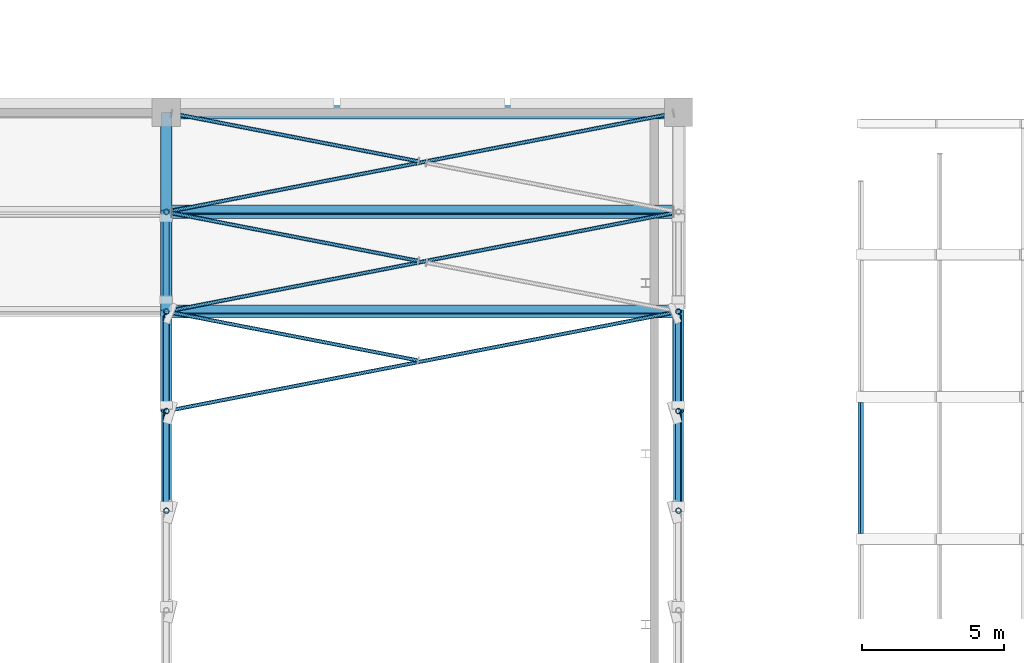
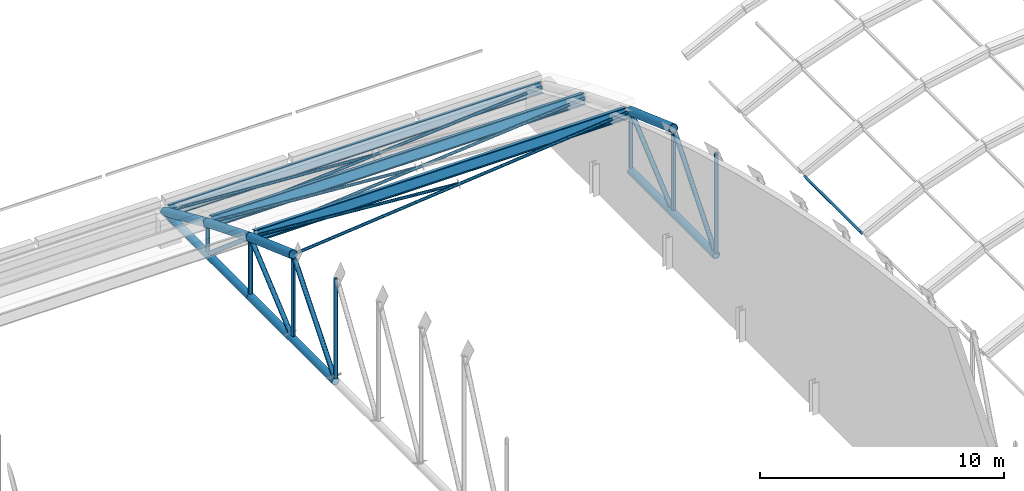
# One storey, part 89 of 196: 29 members.
"""IFC4 building model written with IfcOpenShell, lengths in metres."""

from ifc_helpers import new_model, si_unit, direction, frame, origin, origin_2d, place, context, subcontext, project, spatial, hollow_rectangle, hollow_circle, i_section, extrude, material, material_profile, profile_set, type_object, element, save


model = new_model("IFC4")

# Units and contexts
model_context = context("Model", 3, precision=1e-05, world=origin(), true_north=direction((0.0, 1.0)))
body_context = subcontext(model_context, "Body", "Model", "MODEL_VIEW")
ifc_project = project(units=[si_unit("LENGTHUNIT", "METRE"), si_unit("AREAUNIT", "SQUARE_METRE"), si_unit("VOLUMEUNIT", "CUBIC_METRE"), si_unit("PLANEANGLEUNIT", "RADIAN"), si_unit("MASSUNIT", "GRAM", prefix="KILO")], contexts=[model_context])

# Site, building, storey
site_placement = place(None, origin())
site = spatial("IfcSite", under=ifc_project, at=site_placement, CompositionType="ELEMENT")
building_placement = place(site_placement, origin())
building = spatial("IfcBuilding", under=site, at=building_placement, Name="Okhra Congress Centre", CompositionType="ELEMENT")
storey_placement = place(building_placement, frame((0.0, 0.0, 12.0)))
storey = spatial("IfcBuildingStorey", under=building, at=storey_placement, Name="L02", CompositionType="ELEMENT", Elevation=12.0)

# Members
ifc_material_1 = material(Name="Steel S355J2H", Category="steel")
ifc_material_profile_1 = material_profile(ifc_material_1, hollow_circle(Radius=0.06982421875, WallThickness=0.00634765625, at=origin_2d()), Name="CHS 139.7x6.3")
ifc_profile_set_1 = profile_set([ifc_material_profile_1], Name="Steel S355J2H")
member_type_1 = type_object("IfcMemberType", Name="CHS 139.7x6.3", PredefinedType="BRACE", material=ifc_profile_set_1)
member_1_placement = place(storey_placement, frame((136.185546875, 205.5361328125, 5.6162109375), z_axis=(0.979325120361, 0.190418301156, -0.068287474809), x_axis=(-0.190863837306, 0.981616521667, 0.0)))
element("IfcMember", 1, at=member_1_placement, inside=storey, type_object=member_type_1, Name="EH.MEM.L02.XB7-22-1", PredefinedType="BRACE", context=body_context, shape_type="SweptSolid", body=[
    extrude(hollow_circle(Radius=0.06982421875, WallThickness=0.00634765625, at=origin_2d()), origin(), (0.0, 0.0, 1.0), 18.0009765625),
])
member_2_placement = place(storey_placement, frame((144.844970703125, 207.280029296875, 4.99072265625), z_axis=(-0.979323118912, 0.190430842458, -0.068281205364), x_axis=(-0.190876325854, -0.981614093332, 0.0)))
element("IfcMember", 2, at=member_2_placement, inside=storey, type_object=member_type_1, Name="EH.MEM.L02.XB7-22-2b", PredefinedType="BRACE", context=body_context, shape_type="SweptSolid", body=[
    extrude(hollow_circle(Radius=0.06982421875, WallThickness=0.00634765625, at=origin_2d()), origin(), (0.0, 0.0, 1.0), 8.84228515625),
])
member_3_placement = place(storey_placement, frame((136.185546875, 209.0361328125, 4.359619140625), z_axis=(0.978737844173, 0.190304112179, -0.07652827759), x_axis=(-0.190863837306, 0.981616521667, 0.0)))
element("IfcMember", 3, at=member_3_placement, inside=storey, type_object=member_type_1, Name="EH.MEM.L02.XB7-23-1", PredefinedType="BRACE", context=body_context, shape_type="SweptSolid", body=[
    extrude(hollow_circle(Radius=0.06982421875, WallThickness=0.00634765625, at=origin_2d()), origin(), (0.0, 0.0, 1.0), 18.011962890625),
])
member_4_placement = place(storey_placement, frame((144.847412109375, 210.77978515625, 3.658447265625), z_axis=(-0.97874056041, 0.19029150725, -0.076524882736), x_axis=(-0.190851145429, -0.981618989368, 0.0)))
element("IfcMember", 4, at=member_4_placement, inside=storey, type_object=member_type_1, Name="EH.MEM.L02.XB7-23-2b", PredefinedType="BRACE", context=body_context, shape_type="SweptSolid", body=[
    extrude(hollow_circle(Radius=0.06982421875, WallThickness=0.00634765625, at=origin_2d()), origin(), (0.0, 0.0, 1.0), 8.85009765625),
])
member_5_placement = place(storey_placement, frame((136.185546875, 212.5361328125, 2.95068359375), z_axis=(0.978053112716, 0.190170974165, -0.085129955315), x_axis=(-0.190863837306, 0.981616521667, 0.0)))
element("IfcMember", 5, at=member_5_placement, inside=storey, type_object=member_type_1, Name="EH.MEM.L02.XB7-24-1", PredefinedType="BRACE", context=body_context, shape_type="SweptSolid", body=[
    extrude(hollow_circle(Radius=0.06982421875, WallThickness=0.00634765625, at=origin_2d()), origin(), (0.0, 0.0, 1.0), 18.0244140625),
])
member_6_placement = place(storey_placement, frame((144.85009765625, 214.279052734375, 2.17041015625), z_axis=(-0.978051270157, 0.190181228948, -0.085128215653), x_axis=(-0.190874100976, -0.98161452596, 0.0)))
element("IfcMember", 6, at=member_6_placement, inside=storey, type_object=member_type_1, Name="EH.MEM.L02.XB7-24-2b", PredefinedType="BRACE", context=body_context, shape_type="SweptSolid", body=[
    extrude(hollow_circle(Radius=0.06982421875, WallThickness=0.00634765625, at=origin_2d()), origin(), (0.0, 0.0, 1.0), 8.85888671875),
])
ifc_material_profile_2 = material_profile(ifc_material_1, hollow_circle(Radius=0.096923828125, WallThickness=0.012451171875, at=origin_2d()), Name="CHS 193.7x12.5")
ifc_profile_set_2 = profile_set([ifc_material_profile_2], Name="Steel S355J2H")
member_type_2 = type_object("IfcMemberType", Name="CHS 193.7x12.5", PredefinedType="POST", material=ifc_profile_set_2)
member_7_placement = place(storey_placement, frame((136.0, 202.0, 1.577880859375), z_axis=(0.0, 0.0, 1.0), x_axis=(1.0, 0.0, 0.0)))
element("IfcMember", 7, at=member_7_placement, inside=storey, type_object=member_type_2, Name="EH.MEM.L02.T7-VER-20", PredefinedType="POST", context=body_context, shape_type="SweptSolid", body=[
    extrude(hollow_circle(Radius=0.096923828125, WallThickness=0.012451171875, at=origin_2d()), origin(), (0.0, 0.0, 1.0), 4.947998046875),
])
member_8_placement = place(storey_placement, frame((136.0, 205.5, 1.577880859375), z_axis=(0.0, 0.0, 1.0), x_axis=(1.0, 0.0, 0.0)))
element("IfcMember", 8, at=member_8_placement, inside=storey, type_object=member_type_2, Name="EH.MEM.L02.T7-VER-21", PredefinedType="POST", context=body_context, shape_type="SweptSolid", body=[
    extrude(hollow_circle(Radius=0.096923828125, WallThickness=0.012451171875, at=origin_2d()), origin(), (0.0, 0.0, 1.0), 3.836669921875),
])
member_9_placement = place(storey_placement, frame((136.0, 209.0, 1.577880859375), z_axis=(0.0, 0.0, 1.0), x_axis=(1.0, 0.0, 0.0)))
element("IfcMember", 9, at=member_9_placement, inside=storey, type_object=member_type_2, Name="EH.MEM.L02.T7-VER-22", PredefinedType="POST", context=body_context, shape_type="SweptSolid", body=[
    extrude(hollow_circle(Radius=0.096923828125, WallThickness=0.012451171875, at=origin_2d()), origin(), (0.0, 0.0, 1.0), 2.578857421875),
])
member_10_placement = place(storey_placement, frame((136.0, 212.5, 1.577880859375), z_axis=(0.0, 0.0, 1.0), x_axis=(1.0, 0.0, 0.0)))
element("IfcMember", 10, at=member_10_placement, inside=storey, type_object=member_type_2, Name="EH.MEM.L02.T7-VER-23", PredefinedType="POST", context=body_context, shape_type="SweptSolid", body=[
    extrude(hollow_circle(Radius=0.096923828125, WallThickness=0.012451171875, at=origin_2d()), origin(), (0.0, 0.0, 1.0), 1.168212890625),
])
member_11_placement = place(storey_placement, frame((154.0, 202.0, 1.577880859375), z_axis=(0.0, 0.0, 1.0), x_axis=(1.0, 0.0, 0.0)))
element("IfcMember", 11, at=member_11_placement, inside=storey, type_object=member_type_2, Name="EH.MEM.L02.T8-VER-20", PredefinedType="POST", context=body_context, shape_type="SweptSolid", body=[
    extrude(hollow_circle(Radius=0.096923828125, WallThickness=0.012451171875, at=origin_2d()), origin(), (0.0, 0.0, 1.0), 4.947998046875),
])
member_12_placement = place(storey_placement, frame((154.0, 205.5, 1.577880859375), z_axis=(0.0, 0.0, 1.0), x_axis=(1.0, 0.0, 0.0)))
element("IfcMember", 12, at=member_12_placement, inside=storey, type_object=member_type_2, Name="EH.MEM.L02.T8-VER-21", PredefinedType="POST", context=body_context, shape_type="SweptSolid", body=[
    extrude(hollow_circle(Radius=0.096923828125, WallThickness=0.012451171875, at=origin_2d()), origin(), (0.0, 0.0, 1.0), 3.836669921875),
])
member_13_placement = place(storey_placement, frame((154.0, 209.0, 1.577880859375), z_axis=(0.0, 0.0, 1.0), x_axis=(1.0, 0.0, 0.0)))
element("IfcMember", 13, at=member_13_placement, inside=storey, type_object=member_type_2, Name="EH.MEM.L02.T8-VER-22", PredefinedType="POST", context=body_context, shape_type="SweptSolid", body=[
    extrude(hollow_circle(Radius=0.096923828125, WallThickness=0.012451171875, at=origin_2d()), origin(), (0.0, 0.0, 1.0), 2.578857421875),
])
ifc_material_profile_3 = material_profile(ifc_material_1, hollow_circle(Radius=0.109619140625, WallThickness=0.012451171875, at=origin_2d()), Name="CHS 219.1x12.5")
ifc_profile_set_3 = profile_set([ifc_material_profile_3], Name="Steel S355J2H")
member_type_3 = type_object("IfcMemberType", Name="CHS 219.1x12.5", PredefinedType="BRACE", material=ifc_profile_set_3)
member_14_placement = place(storey_placement, frame((136.0, 205.373779296875, 5.476318359375), z_axis=(0.0, -0.637599309049, -0.770368172435), x_axis=(1.0, 0.0, 0.0)))
element("IfcMember", 14, at=member_14_placement, inside=storey, type_object=member_type_3, Name="EH.MEM.L02.T7-DIA-20", PredefinedType="BRACE", context=body_context, shape_type="SweptSolid", body=[
    extrude(hollow_circle(Radius=0.109619140625, WallThickness=0.012451171875, at=origin_2d()), origin(), (0.0, 0.0, 1.0), 5.060546875),
])
member_15_placement = place(storey_placement, frame((136.0, 208.8388671875, 4.237060546875), z_axis=(0.0, -0.762061047132, -0.64750518179), x_axis=(1.0, 0.0, 0.0)))
element("IfcMember", 15, at=member_15_placement, inside=storey, type_object=member_type_3, Name="EH.MEM.L02.T7-DIA-21", PredefinedType="BRACE", context=body_context, shape_type="SweptSolid", body=[
    extrude(hollow_circle(Radius=0.109619140625, WallThickness=0.012451171875, at=origin_2d()), origin(), (0.0, 0.0, 1.0), 4.106689453125),
])
member_16_placement = place(storey_placement, frame((136.0, 209.42578125, 4.01220703125), z_axis=(0.0, 0.76205947483, -0.647507032257), x_axis=(-1.0, 0.0, 0.0)))
element("IfcMember", 16, at=member_16_placement, inside=storey, type_object=member_type_3, Name="EH.MEM.L02.T7-DIA-22", PredefinedType="BRACE", context=body_context, shape_type="SweptSolid", body=[
    extrude(hollow_circle(Radius=0.109619140625, WallThickness=0.012451171875, at=origin_2d()), origin(), (0.0, 0.0, 1.0), 3.759521484375),
])
member_17_placement = place(storey_placement, frame((154.0, 205.373779296875, 5.476318359375), z_axis=(0.0, -0.637599309049, -0.770368172435), x_axis=(1.0, 0.0, 0.0)))
element("IfcMember", 17, at=member_17_placement, inside=storey, type_object=member_type_3, Name="EH.MEM.L02.T8-DIA-20", PredefinedType="BRACE", context=body_context, shape_type="SweptSolid", body=[
    extrude(hollow_circle(Radius=0.109619140625, WallThickness=0.012451171875, at=origin_2d()), origin(), (0.0, 0.0, 1.0), 5.060546875),
])
member_18_placement = place(storey_placement, frame((154.0, 208.8388671875, 4.237060546875), z_axis=(0.0, -0.762061047132, -0.64750518179), x_axis=(1.0, 0.0, 0.0)))
element("IfcMember", 18, at=member_18_placement, inside=storey, type_object=member_type_3, Name="EH.MEM.L02.T8-DIA-21", PredefinedType="BRACE", context=body_context, shape_type="SweptSolid", body=[
    extrude(hollow_circle(Radius=0.109619140625, WallThickness=0.012451171875, at=origin_2d()), origin(), (0.0, 0.0, 1.0), 4.106689453125),
])
ifc_material_profile_4 = material_profile(ifc_material_1, hollow_circle(Radius=0.177734375, WallThickness=0.01611328125, at=origin_2d()), Name="CHS 355.6x16.0")
ifc_profile_set_4 = profile_set([ifc_material_profile_4], Name="Steel S355J2H")
member_type_4 = type_object("IfcMemberType", Name="CHS 355.6x16.0", PredefinedType="CHORD", material=ifc_profile_set_4)
for number, where, z_axis, x_axis, name in (
    (19, (136.0, 202.0, 1.39990234375), (0.0, 1.0, 0.0), (-1.0, 0.0, 0.0), "EH.MEM.L02.T7-BOT-11"),
    (20, (154.0, 202.0, 1.39990234375), (0.0, 1.0, 0.0), (-1.0, 0.0, 0.0), "EH.MEM.L02.T8-BOT-11"),
):
    element("IfcMember", number, at=place(storey_placement, frame(where, z_axis=z_axis, x_axis=x_axis)), inside=storey, type_object=member_type_4, Name=name, PredefinedType="CHORD", context=body_context, shape_type="SweptSolid", body=[
        extrude(hollow_circle(Radius=0.177734375, WallThickness=0.01611328125, at=origin_2d()), origin(), (0.0, 0.0, 1.0), 7.0),
    ])
ifc_material_profile_5 = material_profile(ifc_material_1, hollow_circle(Radius=0.177734375, WallThickness=0.02490234375, at=origin_2d()), Name="CHS 355.6x25.0")
ifc_profile_set_5 = profile_set([ifc_material_profile_5], Name="Steel S355J2H")
member_type_5 = type_object("IfcMemberType", Name="CHS 355.6x25.0", PredefinedType="CHORD", material=ifc_profile_set_5)
member_19_placement = place(storey_placement, frame((136.0, 209.0, 1.39990234375), z_axis=(0.0, 1.0, 0.0), x_axis=(-1.0, 0.0, 0.0)))
element("IfcMember", 21, at=member_19_placement, inside=storey, type_object=member_type_5, Name="EH.MEM.L02.T7-BOT-12", PredefinedType="CHORD", context=body_context, shape_type="SweptSolid", body=[
    extrude(hollow_circle(Radius=0.177734375, WallThickness=0.02490234375, at=origin_2d()), origin(), (0.0, 0.0, 1.0), 7.0),
])
ifc_material_profile_6 = material_profile(ifc_material_1, hollow_circle(Radius=0.203125, WallThickness=0.02490234375, at=origin_2d()), Name="CHS 406.4x25.0")
ifc_profile_set_6 = profile_set([ifc_material_profile_6], Name="Steel S355J2H")
member_type_6 = type_object("IfcMemberType", Name="CHS 406.4x25.0", PredefinedType="CHORD", material=ifc_profile_set_6)
member_20_placement = place(storey_placement, frame((136.0, 205.5, 5.629150390625), z_axis=(0.0, 0.941304373418, -0.337558997192), x_axis=(-1.0, 0.0, 0.0)))
element("IfcMember", 22, at=member_20_placement, inside=storey, type_object=member_type_6, Name="EH.MEM.L02.T7-TOP-22", PredefinedType="CHORD", context=body_context, shape_type="SweptSolid", body=[
    extrude(hollow_circle(Radius=0.203125, WallThickness=0.02490234375, at=origin_2d()), origin(), (0.0, 0.0, 1.0), 3.71826171875),
])
member_21_placement = place(storey_placement, frame((136.0, 209.0, 4.3740234375), z_axis=(0.0, 0.927814639871, -0.373041544658), x_axis=(-1.0, 0.0, 0.0)))
element("IfcMember", 23, at=member_21_placement, inside=storey, type_object=member_type_6, Name="EH.MEM.L02.T7-TOP-23", PredefinedType="CHORD", context=body_context, shape_type="SweptSolid", body=[
    extrude(hollow_circle(Radius=0.203125, WallThickness=0.02490234375, at=origin_2d()), origin(), (0.0, 0.0, 1.0), 3.772216796875),
])
member_22_placement = place(storey_placement, frame((136.0, 212.5, 2.966796875), z_axis=(0.0, 0.912710800597, -0.408606160591), x_axis=(-1.0, 0.0, 0.0)))
element("IfcMember", 24, at=member_22_placement, inside=storey, type_object=member_type_6, Name="EH.MEM.L02.T7-TOP-24", PredefinedType="CHORD", context=body_context, shape_type="SweptSolid", body=[
    extrude(hollow_circle(Radius=0.203125, WallThickness=0.02490234375, at=origin_2d()), origin(), (0.0, 0.0, 1.0), 3.834716796875),
])
member_23_placement = place(storey_placement, frame((154.0, 205.5, 5.629150390625), z_axis=(0.0, 0.941304373418, -0.337558997192), x_axis=(-1.0, 0.0, 0.0)))
element("IfcMember", 25, at=member_23_placement, inside=storey, type_object=member_type_6, Name="EH.MEM.L02.T8-TOP-22", PredefinedType="CHORD", context=body_context, shape_type="SweptSolid", body=[
    extrude(hollow_circle(Radius=0.203125, WallThickness=0.02490234375, at=origin_2d()), origin(), (0.0, 0.0, 1.0), 3.71826171875),
])
ifc_material_2 = material(Name="Steel S355J2", Category="steel")
ifc_material_profile_7 = material_profile(ifc_material_2, i_section(OverallWidth=0.300048828125, OverallDepth=0.5, WebThickness=0.014404296875, FlangeThickness=0.028076171875, at=origin_2d()), Name="HE 500 B")
ifc_profile_set_7 = profile_set([ifc_material_profile_7], Name="Steel S355J2")
member_type_7 = type_object("IfcMemberType", Name="HE 500 B", PredefinedType="PURLIN", material=ifc_profile_set_7)
for number, where, z_axis, x_axis, name in (
    (26, (136.203125, 209.0, 4.3740234375), (1.0, 0.0, 0.0), (0.0, 0.934732963292, -0.355350935465), "EH.MEM.L02.PU7-23"),
    (27, (136.203125, 212.5, 2.966796875), (1.0, 0.0, 0.0), (0.0, 0.920437204489, -0.390890461118), "EH.MEM.L02.PU7-24"),
    (28, (136.203125, 216.0, 1.39990234375), (1.0, 0.0, 0.0), (0.0, 0.912721046606, -0.40858327313), "EH.MEM.L02.PU7-25"),
):
    element("IfcMember", number, at=place(storey_placement, frame(where, z_axis=z_axis, x_axis=x_axis)), inside=storey, type_object=member_type_7, Name=name, PredefinedType="PURLIN", context=body_context, shape_type="SweptSolid", body=[
        extrude(i_section(OverallWidth=0.300048828125, OverallDepth=0.5, WebThickness=0.014404296875, FlangeThickness=0.028076171875, at=origin_2d()), origin(), (0.0, 0.0, 1.0), 17.59375),
    ])
ifc_material_profile_8 = material_profile(ifc_material_2, hollow_rectangle(XDim=0.10009765625, YDim=0.199951171875, WallThickness=0.008056640625, at=origin_2d()), Name="RHS 200x100x8")
ifc_profile_set_8 = profile_set([ifc_material_profile_8], Name="Steel S355J2")
member_type_8 = type_object("IfcMemberType", Name="Steel purlin RHS 200x100x8", PredefinedType="PURLIN", material=ifc_profile_set_8)
member_24_placement = place(storey_placement, frame((160.406982421875, 201.203125, 0.77490234375), z_axis=(0.0, 1.0, 0.0), x_axis=(-0.86391685861, 0.0, -0.503634452167)))
element("IfcMember", 29, at=member_24_placement, inside=storey, type_object=member_type_8, Name="Vault purlin 26.2", PredefinedType="PURLIN", context=body_context, shape_type="SweptSolid", body=[
    extrude(hollow_rectangle(XDim=0.10009765625, YDim=0.199951171875, WallThickness=0.008056640625, at=origin_2d()), origin(), (0.0, 0.0, 1.0), 4.59375),
])

save(model, "model.ifc")
